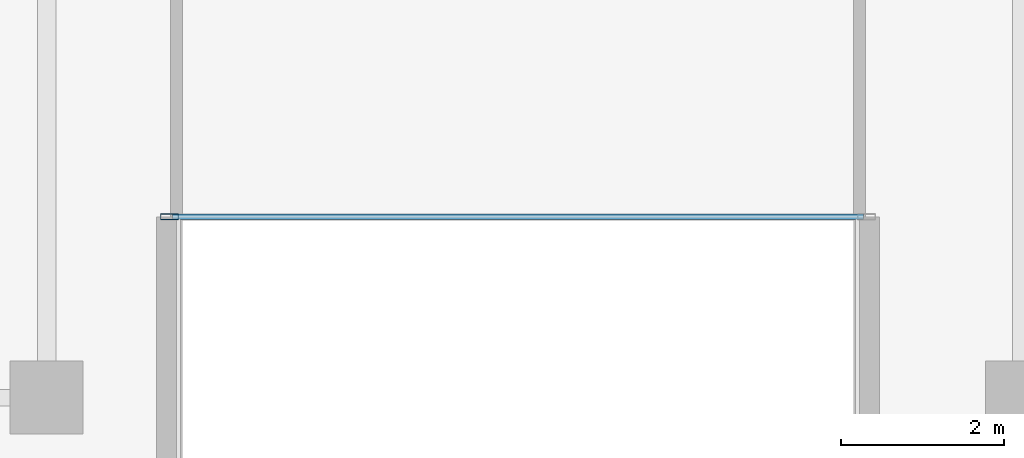
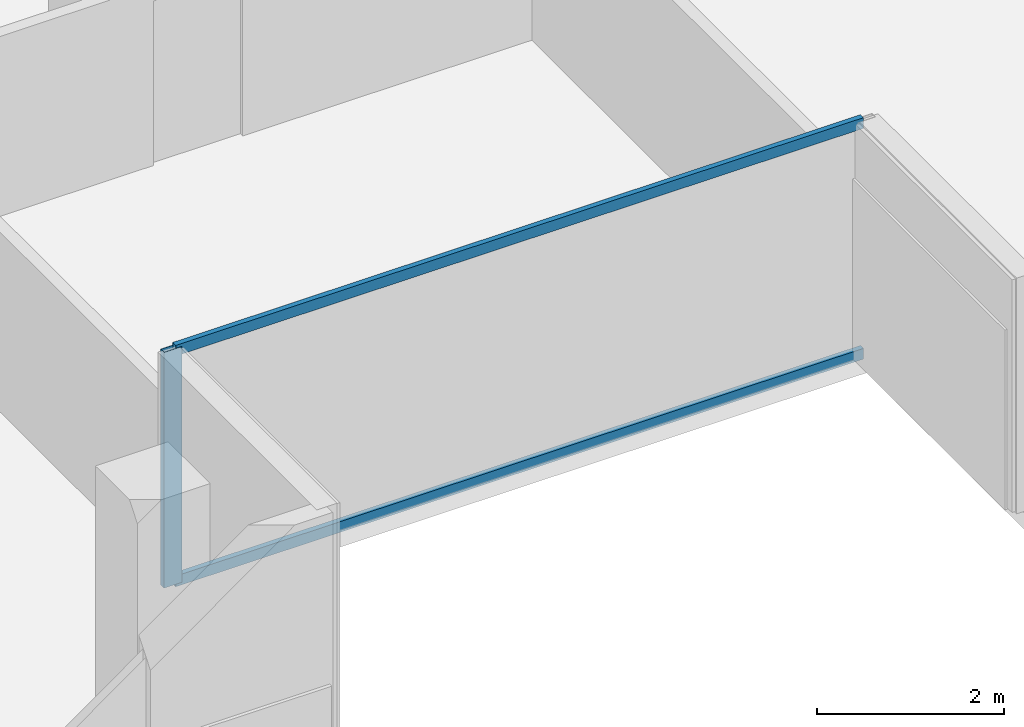
# One storey, part 2 of 19: 3 members, 1 element without a shape of its own.
"""IFC4 building model written with IfcOpenShell, lengths in metres."""

from ifc_helpers import new_model, si_unit, direction, frame, origin, origin_2d, place, context, subcontext, project, spatial, hollow_rectangle, extrude, material, layer, layer_set, material_profile, profile_set, type_object, element, aggregate, save


model = new_model("IFC4")

# Units and contexts
model_context = context("Model", 3, precision=1e-05, world=origin(), true_north=direction((0.0, 1.0)))
body_context = subcontext(model_context, "Body", "Model", "MODEL_VIEW")
ifc_project = project(units=[si_unit("LENGTHUNIT", "METRE"), si_unit("AREAUNIT", "SQUARE_METRE"), si_unit("VOLUMEUNIT", "CUBIC_METRE"), si_unit("PLANEANGLEUNIT", "RADIAN"), si_unit("MASSUNIT", "GRAM", prefix="KILO")], contexts=[model_context])

# Site, building, storey
site_placement = place(None, origin())
site = spatial("IfcSite", under=ifc_project, at=site_placement, CompositionType="ELEMENT")
building_placement = place(site_placement, origin())
building = spatial("IfcBuilding", under=site, at=building_placement, Name="Tanjung Sevakor Pilgrim Tower", CompositionType="ELEMENT")
storey_placement = place(building_placement, frame((0.0, 0.0, 135.300048828125)))
storey = spatial("IfcBuildingStorey", under=building, at=storey_placement, Name="L37", CompositionType="ELEMENT", Elevation=135.300048828125)

# Curtain wall, members
ifc_material_1 = material(Name="Aluminium 6063-T6 and Low-E Glass", Category="aluminium")
ifc_layer = layer(ifc_material_1, 0.179931640625)
ifc_layer_set = layer_set([ifc_layer], Name="CW-SYS-CLEFT")
curtain_wall_type = type_object("IfcCurtainWallType", Name="CW-SYS-CLEFT", PredefinedType="NOTDEFINED", material=ifc_layer_set)
curtain_wall_placement = place(storey_placement, origin())
curtain_wall = element("IfcCurtainWall", 1, at=curtain_wall_placement, inside=storey, type_object=curtain_wall_type, Name="L37 Curtain Wall CW-CLF-L37-2", PredefinedType="NOTDEFINED")
ifc_material_2 = material(Name="Aluminium 6063-T6", Category="aluminium")
ifc_material_profile_1 = material_profile(ifc_material_2, hollow_rectangle(XDim=0.074951171875, YDim=0.219970703125, WallThickness=0.0048828125, at=origin_2d()))
ifc_profile_set_1 = profile_set([ifc_material_profile_1], Name="Aluminium 6063-T6")
member_type_1 = type_object("IfcMemberType", Name="TYPE-CWM-2", PredefinedType="MULLION", material=ifc_profile_set_1)
member_1_placement = place(storey_placement, frame((43.512451171875, 15.425048828125, 0.0), z_axis=(0.0, 0.0, 1.0), x_axis=(0.0, 1.0, 0.0)))
member_1 = element("IfcMember", 2, at=member_1_placement, type_object=member_type_1, Name="CW-CLF mullion 1", PredefinedType="MULLION", context=body_context, shape_type="SweptSolid", body=[
    extrude(hollow_rectangle(XDim=0.074951171875, YDim=0.219970703125, WallThickness=0.0048828125, at=origin_2d()), origin(), (0.0, 0.0, 1.0), 3.079833984375),
])
ifc_material_3 = material(Name="Aluminium 6063-T6", Category="aluminium")
ifc_material_profile_2 = material_profile(ifc_material_3, hollow_rectangle(XDim=0.06494140625, YDim=0.139892578125, WallThickness=0.00390625, at=origin_2d()))
ifc_profile_set_2 = profile_set([ifc_material_profile_2], Name="Aluminium 6063-T6")
member_type_2 = type_object("IfcMemberType", Name="TYPE-CWT-1", PredefinedType="USERDEFINED", material=ifc_profile_set_2)
member_2_placement = place(storey_placement, frame((43.550048828125, 15.425048828125, 0.032470703125), z_axis=(1.0, 0.0, 0.0), x_axis=(0.0, 1.0, 0.0)))
member_2 = element("IfcMember", 3, at=member_2_placement, type_object=member_type_2, Name="CW-CLF transom 1.1", ObjectType="TRANSOM", PredefinedType="USERDEFINED", context=body_context, shape_type="SweptSolid", body=[
    extrude(hollow_rectangle(XDim=0.06494140625, YDim=0.139892578125, WallThickness=0.00390625, at=origin_2d()), origin(), (0.0, 0.0, 1.0), 8.5),
])
member_3_placement = place(storey_placement, frame((43.550048828125, 15.425048828125, 3.04736328125), z_axis=(1.0, 0.0, 0.0), x_axis=(0.0, 1.0, 0.0)))
member_3 = element("IfcMember", 4, at=member_3_placement, type_object=member_type_2, Name="CW-CLF transom 1.2", ObjectType="TRANSOM", PredefinedType="USERDEFINED", context=body_context, shape_type="SweptSolid", body=[
    extrude(hollow_rectangle(XDim=0.06494140625, YDim=0.139892578125, WallThickness=0.00390625, at=origin_2d()), origin(), (0.0, 0.0, 1.0), 8.5),
])
aggregate(curtain_wall, [member_1, member_2, member_3])

save(model, "model.ifc")
